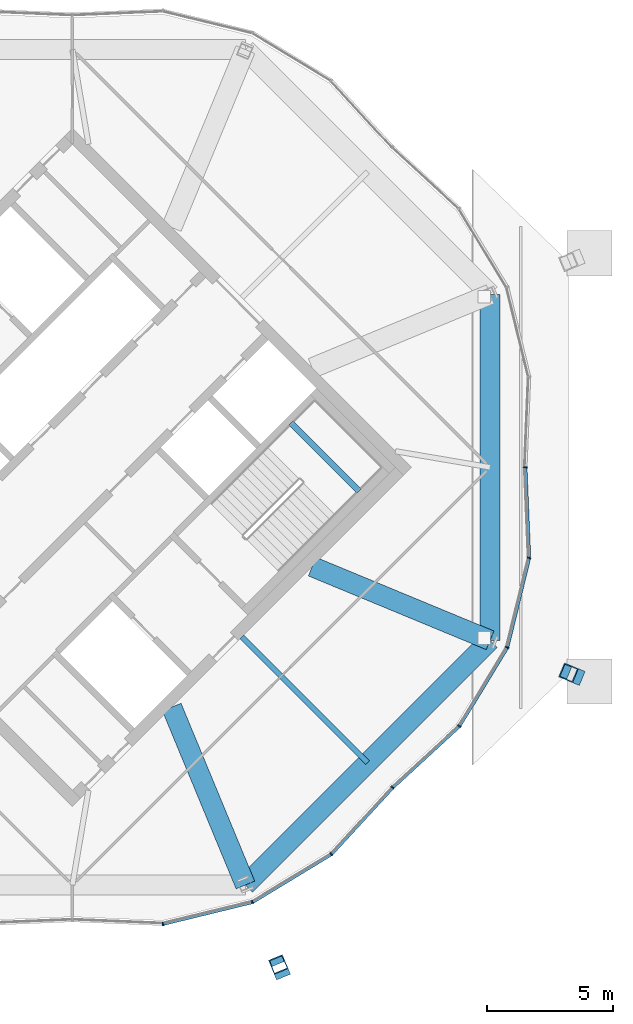
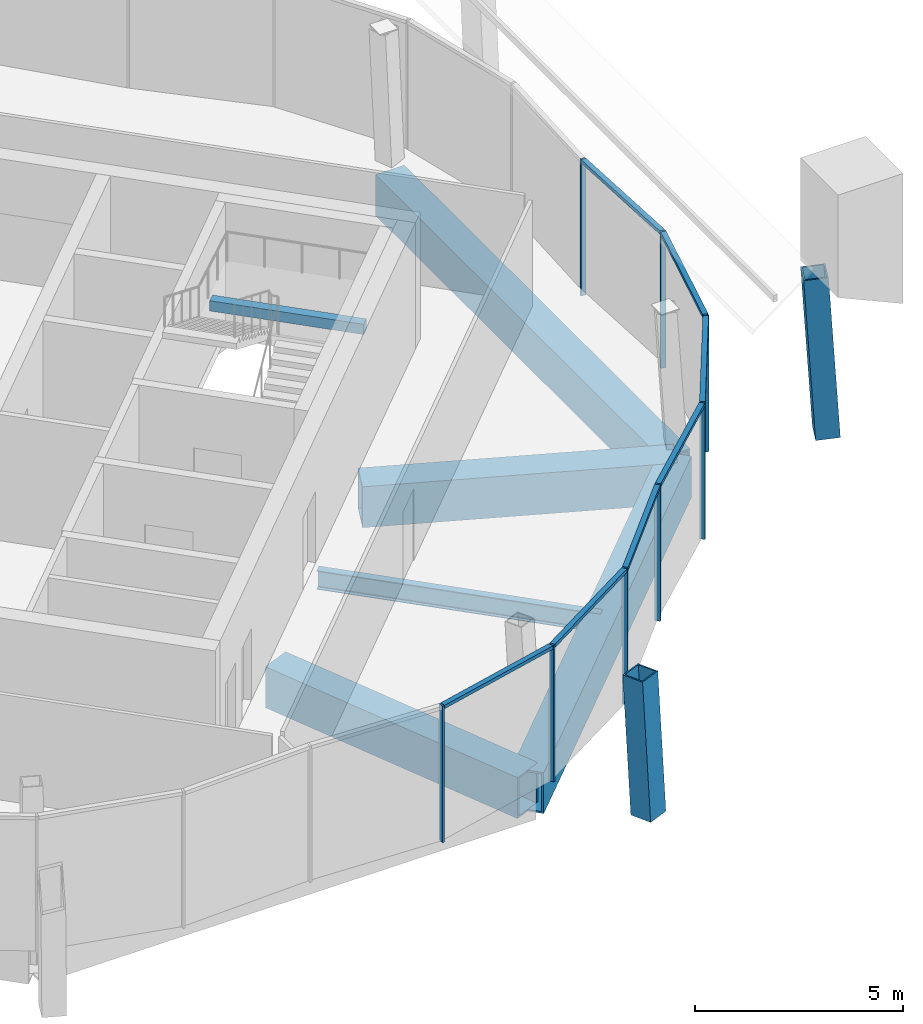
# One storey, part 11 of 22: 17 members, 6 beams, 4 elements without a shape of their own.
"""IFC4 building model written with IfcOpenShell, lengths in metres."""

from ifc_helpers import new_model, si_unit, direction, frame, origin, origin_2d, place, context, subcontext, project, spatial, rectangle, hollow_rectangle, i_section, extrude, material, material_profile, profile_set, type_object, element, aggregate, save


model = new_model("IFC4")

# Units and contexts
model_context = context("Model", 3, precision=1e-05, world=origin(), true_north=direction((0.0, 1.0)))
body_context = subcontext(model_context, "Body", "Model", "MODEL_VIEW")
ifc_project = project(units=[si_unit("LENGTHUNIT", "METRE"), si_unit("AREAUNIT", "SQUARE_METRE"), si_unit("VOLUMEUNIT", "CUBIC_METRE"), si_unit("PLANEANGLEUNIT", "RADIAN"), si_unit("MASSUNIT", "GRAM", prefix="KILO")], contexts=[model_context])

# Site, building, storey
site_placement = place(None, origin())
site = spatial("IfcSite", under=ifc_project, at=site_placement, CompositionType="ELEMENT")
building_placement = place(site_placement, origin())
building = spatial("IfcBuilding", under=site, at=building_placement, Name="Ogive Gate Towers", CompositionType="ELEMENT")
storey_placement = place(building_placement, frame((0.0, 0.0, 298.0)))
storey = spatial("IfcBuildingStorey", under=building, at=storey_placement, Name="L70", CompositionType="ELEMENT", Elevation=298.0)

# Curtain wall, member
ifc_material_1 = material(Name="Pale metal aluminium", Category="aluminium")
curtain_wall_type = type_object("IfcCurtainWallType", Name="Crown lean wall", PredefinedType="NOTDEFINED", material=ifc_material_1)
curtain_wall_1_placement = place(storey_placement, origin())
curtain_wall_1 = element("IfcCurtainWall", 1, at=curtain_wall_1_placement, inside=storey, type_object=curtain_wall_type, Name="CW5 T2 ECW01", PredefinedType="NOTDEFINED")
ifc_material_profile_1 = material_profile(ifc_material_1, rectangle(XDim=0.139892578125, YDim=0.050048828125, at=origin_2d()), Name="50 x 140 aluminium box")
ifc_profile_set_1 = profile_set([ifc_material_profile_1], Name="Pale metal aluminium")
member_type_1 = type_object("IfcMemberType", Name="Crown lean wall mullion 50 x 140", PredefinedType="MULLION", material=ifc_profile_set_1)
member_1_placement = place(storey_placement, frame((53.940185546875, -0.001220703125, -0.300048828125), z_axis=(0.0, 0.0, 1.0), x_axis=(-0.99914100669, 0.041439700181, 0.0)))
member_1 = element("IfcMember", 2, at=member_1_placement, type_object=member_type_1, Name="CW5 mullion", PredefinedType="MULLION", context=body_context, shape_type="SweptSolid", body=[
    extrude(rectangle(XDim=0.139892578125, YDim=0.050048828125, at=origin_2d()), origin(), (0.0, 0.0, 1.0), 4.0),
])
aggregate(curtain_wall_1, [member_1])

# Curtain wall, members
curtain_wall_2_placement = place(storey_placement, origin())
curtain_wall_2 = element("IfcCurtainWall", 3, at=curtain_wall_2_placement, inside=storey, type_object=curtain_wall_type, Name="CW5 T2 ECW07", PredefinedType="NOTDEFINED")
member_2_placement = place(storey_placement, frame((48.686279296875, -12.6845703125, -0.300048828125), z_axis=(0.0, 0.0, 1.0), x_axis=(-0.735813493407, 0.677184245918, 0.0)))
member_2 = element("IfcMember", 4, at=member_2_placement, type_object=member_type_1, Name="CW5 mullion", PredefinedType="MULLION", context=body_context, shape_type="SweptSolid", body=[
    extrude(rectangle(XDim=0.139892578125, YDim=0.050048828125, at=origin_2d()), origin(), (0.0, 0.0, 1.0), 4.0),
])
member_3_placement = place(storey_placement, frame((46.255615234375, -15.325439453125, -0.300048828125), z_axis=(0.0, 0.0, 1.0), x_axis=(-0.633772467207, 0.77351952775, 0.0)))
member_3 = element("IfcMember", 5, at=member_3_placement, type_object=member_type_1, Name="CW5 mullion", PredefinedType="MULLION", context=body_context, shape_type="SweptSolid", body=[
    extrude(rectangle(XDim=0.139892578125, YDim=0.050048828125, at=origin_2d()), origin(), (0.0, 0.0, 1.0), 4.0),
])
member_4_placement = place(storey_placement, frame((43.1337890625, -17.22216796875, -0.300048828125), z_axis=(0.0, 0.0, 1.0), x_axis=(-0.382683432365, 0.923879532511, 0.0)))
member_4 = element("IfcMember", 6, at=member_4_placement, type_object=member_type_1, Name="CW5 mullion", PredefinedType="MULLION", context=body_context, shape_type="SweptSolid", body=[
    extrude(rectangle(XDim=0.139892578125, YDim=0.050048828125, at=origin_2d()), origin(), (0.0, 0.0, 1.0), 4.0),
])
member_5_placement = place(storey_placement, frame((39.585205078125, -18.088623046875, -0.300048828125), z_axis=(0.0, 0.0, 1.0), x_axis=(-0.098833462017, 0.995103987926, 0.0)))
member_5 = element("IfcMember", 7, at=member_5_placement, type_object=member_type_1, Name="CW5 mullion", PredefinedType="MULLION", context=body_context, shape_type="SweptSolid", body=[
    extrude(rectangle(XDim=0.139892578125, YDim=0.050048828125, at=origin_2d()), origin(), (0.0, 0.0, 1.0), 4.0),
])

curtain_wall_3_placement = place(storey_placement, origin())
curtain_wall_3 = element("IfcCurtainWall", 8, at=curtain_wall_3_placement, inside=storey, type_object=curtain_wall_type, Name="CW5 T2 ECW08", PredefinedType="NOTDEFINED")
member_6_placement = place(storey_placement, frame((54.087890625, -3.589111328125, -0.300048828125), z_axis=(0.0, 0.0, 1.0), x_axis=(-0.971470528077, 0.237160310926, 0.0)))
member_6 = element("IfcMember", 9, at=member_6_placement, type_object=member_type_1, Name="CW5 mullion", PredefinedType="MULLION", context=body_context, shape_type="SweptSolid", body=[
    extrude(rectangle(XDim=0.139892578125, YDim=0.050048828125, at=origin_2d()), origin(), (0.0, 0.0, 1.0), 4.0),
])
member_7_placement = place(storey_placement, frame((53.22216796875, -7.1337890625, -0.300048828125), z_axis=(0.0, 0.0, 1.0), x_axis=(-0.923879532511, 0.382683432365, 0.0)))
member_7 = element("IfcMember", 10, at=member_7_placement, type_object=member_type_1, Name="CW5 mullion", PredefinedType="MULLION", context=body_context, shape_type="SweptSolid", body=[
    extrude(rectangle(XDim=0.139892578125, YDim=0.050048828125, at=origin_2d()), origin(), (0.0, 0.0, 1.0), 4.0),
])
member_8_placement = place(storey_placement, frame((51.325439453125, -10.255615234375, -0.300048828125), z_axis=(0.0, 0.0, 1.0), x_axis=(-0.77351952775, 0.633772467207, 0.0)))
member_8 = element("IfcMember", 11, at=member_8_placement, type_object=member_type_1, Name="CW5 mullion", PredefinedType="MULLION", context=body_context, shape_type="SweptSolid", body=[
    extrude(rectangle(XDim=0.139892578125, YDim=0.050048828125, at=origin_2d()), origin(), (0.0, 0.0, 1.0), 4.0),
])

# Member
ifc_material_profile_2 = material_profile(ifc_material_1, rectangle(XDim=0.139892578125, YDim=0.10009765625, at=origin_2d()), Name="100 x 140 aluminium box")
ifc_profile_set_2 = profile_set([ifc_material_profile_2], Name="Pale metal aluminium")
member_type_2 = type_object("IfcMemberType", Name="Crown lean wall transom 100 x 140", PredefinedType="USERDEFINED", material=ifc_profile_set_2)
member_9_placement = place(storey_placement, frame((48.66943359375, -12.702880859375, 3.64990234375), z_axis=(-0.677183685751, -0.735814008941, 0.0), x_axis=(0.735814008941, -0.677183685751, 0.0)))
member_9 = element("IfcMember", 12, at=member_9_placement, type_object=member_type_2, Name="CW5 transom", ObjectType="TRANSOM", PredefinedType="USERDEFINED", context=body_context, shape_type="SweptSolid", body=[
    extrude(rectangle(XDim=0.139892578125, YDim=0.10009765625, at=origin_2d()), origin(), (0.0, 0.0, 1.0), 3.535400390625),
])

member_10_placement = place(storey_placement, frame((46.230712890625, -15.3408203125, 3.64990234375), z_axis=(-0.854590509475, -0.519302475553, 0.0), x_axis=(0.519302475553, -0.854590509475, 0.0)))
member_10 = element("IfcMember", 13, at=member_10_placement, type_object=member_type_2, Name="CW5 transom", ObjectType="TRANSOM", PredefinedType="USERDEFINED", context=body_context, shape_type="SweptSolid", body=[
    extrude(rectangle(XDim=0.139892578125, YDim=0.10009765625, at=origin_2d()), origin(), (0.0, 0.0, 1.0), 3.59423828125),
])

member_11_placement = place(storey_placement, frame((43.10498046875, -17.2294921875, 3.64990234375), z_axis=(-0.971474168805, -0.237145397056, 0.0), x_axis=(0.237145397056, -0.971474168805, 0.0)))
member_11 = element("IfcMember", 14, at=member_11_placement, type_object=member_type_2, Name="CW5 transom", ObjectType="TRANSOM", PredefinedType="USERDEFINED", context=body_context, shape_type="SweptSolid", body=[
    extrude(rectangle(XDim=0.139892578125, YDim=0.10009765625, at=origin_2d()), origin(), (0.0, 0.0, 1.0), 3.593994140625),
])

aggregate(curtain_wall_2, [member_2, member_3, member_9, member_4, member_10, member_5, member_11])

member_12_placement = place(storey_placement, frame((54.081787109375, -3.613525390625, 3.64990234375), z_axis=(-0.237145397056, -0.971474168805, 0.0), x_axis=(0.971474168805, -0.237145397056, 0.0)))
member_12 = element("IfcMember", 15, at=member_12_placement, type_object=member_type_2, Name="CW5 transom", ObjectType="TRANSOM", PredefinedType="USERDEFINED", context=body_context, shape_type="SweptSolid", body=[
    extrude(rectangle(XDim=0.139892578125, YDim=0.10009765625, at=origin_2d()), origin(), (0.0, 0.0, 1.0), 3.593994140625),
])

member_13_placement = place(storey_placement, frame((53.207275390625, -7.1591796875, 3.64990234375), z_axis=(-0.519302475553, -0.854590509475, 0.0), x_axis=(0.854590509475, -0.519302475553, 0.0)))
member_13 = element("IfcMember", 16, at=member_13_placement, type_object=member_type_2, Name="CW5 transom", ObjectType="TRANSOM", PredefinedType="USERDEFINED", context=body_context, shape_type="SweptSolid", body=[
    extrude(rectangle(XDim=0.139892578125, YDim=0.10009765625, at=origin_2d()), origin(), (0.0, 0.0, 1.0), 3.59423828125),
])

member_14_placement = place(storey_placement, frame((51.30419921875, -10.275390625, 3.64990234375), z_axis=(-0.735814008941, -0.677183685751, 0.0), x_axis=(0.677183685751, -0.735814008941, 0.0)))
member_14 = element("IfcMember", 17, at=member_14_placement, type_object=member_type_2, Name="CW5 transom", ObjectType="TRANSOM", PredefinedType="USERDEFINED", context=body_context, shape_type="SweptSolid", body=[
    extrude(rectangle(XDim=0.139892578125, YDim=0.10009765625, at=origin_2d()), origin(), (0.0, 0.0, 1.0), 3.535400390625),
])

aggregate(curtain_wall_3, [member_6, member_7, member_12, member_8, member_13, member_14])

# Curtain wall, member
curtain_wall_4_placement = place(storey_placement, origin())
curtain_wall_4 = element("IfcCurtainWall", 18, at=curtain_wall_4_placement, inside=storey, type_object=curtain_wall_type, Name="CW5 T2 ECW08b", PredefinedType="NOTDEFINED")
member_15_placement = place(storey_placement, frame((53.941162109375, -0.023681640625, 3.64990234375), z_axis=(0.041435216725, -0.999141192632, 0.0), x_axis=(0.999141192632, 0.041435216725, 0.0)))
member_15 = element("IfcMember", 19, at=member_15_placement, type_object=member_type_2, Name="CW5 transom", ObjectType="TRANSOM", PredefinedType="USERDEFINED", context=body_context, shape_type="SweptSolid", body=[
    extrude(rectangle(XDim=0.139892578125, YDim=0.10009765625, at=origin_2d()), origin(), (0.0, 0.0, 1.0), 3.53515625),
])
aggregate(curtain_wall_4, [member_15])

# Members
ifc_material_2 = material(Name="Steel SM460", Category="steel")
ifc_material_profile_3 = material_profile(ifc_material_2, hollow_rectangle(XDim=0.60009765625, YDim=0.60009765625, WallThickness=0.0400390625, at=origin_2d()), Name="BX 600x600x40")
ifc_profile_set_3 = profile_set([ifc_material_profile_3], Name="Steel SM460")
member_type_3 = type_object("IfcMemberType", Name="Crown rib BX 600x600x40", PredefinedType="MEMBER", material=ifc_profile_set_3)
member_16_placement = place(storey_placement, frame((44.250732421875, -19.919189453125, 0.0), z_axis=(-0.023332863722, 0.056413137875, 0.99813482824), x_axis=(-0.924077607992, -0.382204885379, 0.0)))
element("IfcMember", 20, at=member_16_placement, inside=storey, type_object=member_type_3, Name="T2/L70/STR007", PredefinedType="MEMBER", context=body_context, shape_type="SweptSolid", body=[
    extrude(hollow_rectangle(XDim=0.60009765625, YDim=0.60009765625, WallThickness=0.0400390625, at=origin_2d()), origin(), (0.0, 0.0, 1.0), 4.007568359375),
])
member_17_placement = place(storey_placement, frame((55.919189453125, -8.250732421875, 0.0), z_axis=(-0.056421001564, 0.023344836427, 0.998134103813), x_axis=(-0.382326833999, -0.924027159776, 0.0)))
element("IfcMember", 21, at=member_17_placement, inside=storey, type_object=member_type_3, Name="T2/L70/STR008", PredefinedType="MEMBER", context=body_context, shape_type="SweptSolid", body=[
    extrude(hollow_rectangle(XDim=0.60009765625, YDim=0.60009765625, WallThickness=0.0400390625, at=origin_2d()), origin(), (0.0, 0.0, 1.0), 4.716552734375),
])

# Beams
ifc_material_profile_4 = material_profile(ifc_material_2, hollow_rectangle(XDim=0.800048828125, YDim=1.199951171875, WallThickness=0.050048828125, at=origin_2d()), Name="BX 1200x800x50")
ifc_profile_set_4 = profile_set([ifc_material_profile_4], Name="Steel SM460")
beam_type_1 = type_object("IfcBeamType", Name="Edge girder BX 1200x800x50", PredefinedType="BEAM", material=ifc_profile_set_4)
beam_1_placement = place(storey_placement, frame((42.853759765625, -16.546630859375, -0.89990234375), z_axis=(0.707106781187, 0.707106781187, 0.0), x_axis=(-0.707106781187, 0.707106781187, 0.0)))
element("IfcBeam", 22, at=beam_1_placement, inside=storey, type_object=beam_type_1, Name="T2/L70/SBM019", PredefinedType="BEAM", context=body_context, shape_type="SweptSolid", body=[
    extrude(hollow_rectangle(XDim=0.800048828125, YDim=1.199951171875, WallThickness=0.050048828125, at=origin_2d()), origin(), (0.0, 0.0, 1.0), 13.707763671875),
])
beam_2_placement = place(storey_placement, frame((52.546630859375, -6.853759765625, -0.89990234375), z_axis=(0.0, 1.0, 0.0), x_axis=(-1.0, 0.0, 0.0)))
element("IfcBeam", 23, at=beam_2_placement, inside=storey, type_object=beam_type_1, Name="T2/L70/SBM020", PredefinedType="BEAM", context=body_context, shape_type="SweptSolid", body=[
    extrude(hollow_rectangle(XDim=0.800048828125, YDim=1.199951171875, WallThickness=0.050048828125, at=origin_2d()), origin(), (0.0, 0.0, 1.0), 13.70751953125),
])
ifc_material_3 = material(Name="Concrete C40/50", Category="concrete")
ifc_material_profile_5 = material_profile(ifc_material_3, rectangle(XDim=0.25, YDim=0.300048828125, at=origin_2d()), Name="RC 250x300")
ifc_profile_set_5 = profile_set([ifc_material_profile_5], Name="Concrete C40/50")
beam_type_2 = type_object("IfcBeamType", Name="Landing bearer RC 250x300", PredefinedType="BEAM", material=ifc_profile_set_5)
beam_3_placement = place(storey_placement, frame((47.35888671875, -0.94482421875, 1.64990234375), z_axis=(-0.707138693938, 0.707074866995, 0.0), x_axis=(-0.707074866995, -0.707138693938, 0.0)))
element("IfcBeam", 24, at=beam_3_placement, inside=storey, type_object=beam_type_2, Name="T2 L70 stair 2 landing bearer 1", PredefinedType="BEAM", context=body_context, shape_type="SweptSolid", body=[
    extrude(rectangle(XDim=0.25, YDim=0.300048828125, at=origin_2d()), origin(), (0.0, 0.0, 1.0), 3.824951171875),
])
ifc_material_4 = material(Name="Steel SM355", Category="steel")
ifc_material_profile_6 = material_profile(ifc_material_4, i_section(OverallWidth=0.2099609375, OverallDepth=0.550048828125, WebThickness=0.010986328125, FlangeThickness=0.01708984375, FilletRadius=0.02392578125, at=origin_2d()), Name="IPE 550")
ifc_profile_set_6 = profile_set([ifc_material_profile_6], Name="Steel SM355")
beam_type_3 = type_object("IfcBeamType", Name="Radial floor beam IPE 550", PredefinedType="BEAM", material=ifc_profile_set_6)
beam_4_placement = place(storey_placement, frame((42.717529296875, -6.717529296875, -0.574951171875), z_axis=(0.707106781187, -0.707106781187, 0.0), x_axis=(0.707106781187, 0.707106781187, 0.0)))
element("IfcBeam", 25, at=beam_4_placement, inside=storey, type_object=beam_type_3, Name="T2/L70/SBM006", PredefinedType="BEAM", context=body_context, shape_type="SweptSolid", body=[
    extrude(i_section(OverallWidth=0.2099609375, OverallDepth=0.550048828125, WebThickness=0.010986328125, FlangeThickness=0.01708984375, FilletRadius=0.02392578125, at=origin_2d()), origin(), (0.0, 0.0, 1.0), 7.046630859375),
])
ifc_material_profile_7 = material_profile(ifc_material_2, hollow_rectangle(XDim=0.800048828125, YDim=1.199951171875, WallThickness=0.050048828125, at=origin_2d()), Name="BX 1200x800x50")
ifc_profile_set_7 = profile_set([ifc_material_profile_7], Name="Steel SM460")
beam_type_4 = type_object("IfcBeamType", Name="Transfer radial beam BX 1200x800x50", PredefinedType="BEAM", material=ifc_profile_set_7)
for number, where, z_axis, x_axis, name in (
    (26, (39.93505859375, -9.5, -0.89990234375), (0.382671245488, -0.923884580387, 0.0), (0.923884580387, 0.382671245488, 0.0), "T2/L70/SBM005"),
    (27, (45.5, -3.93505859375, -0.89990234375), (0.923884580387, -0.382671245488, 0.0), (0.382671245488, 0.923884580387, 0.0), "T2/L70/SBM007"),
):
    element("IfcBeam", number, at=place(storey_placement, frame(where, z_axis=z_axis, x_axis=x_axis)), inside=storey, type_object=beam_type_4, Name=name, PredefinedType="BEAM", context=body_context, shape_type="SweptSolid", body=[
        extrude(hollow_rectangle(XDim=0.800048828125, YDim=1.199951171875, WallThickness=0.050048828125, at=origin_2d()), origin(), (0.0, 0.0, 1.0), 7.627197265625),
    ])

save(model, "model.ifc")
